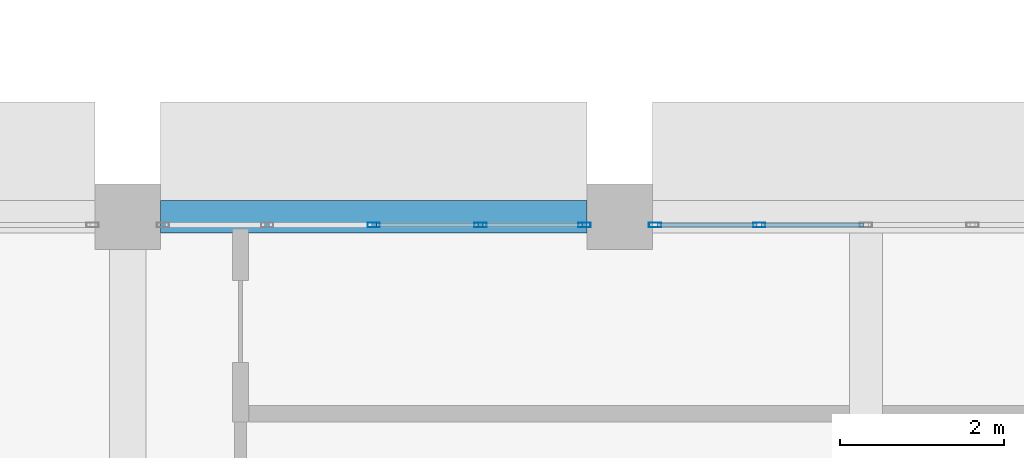
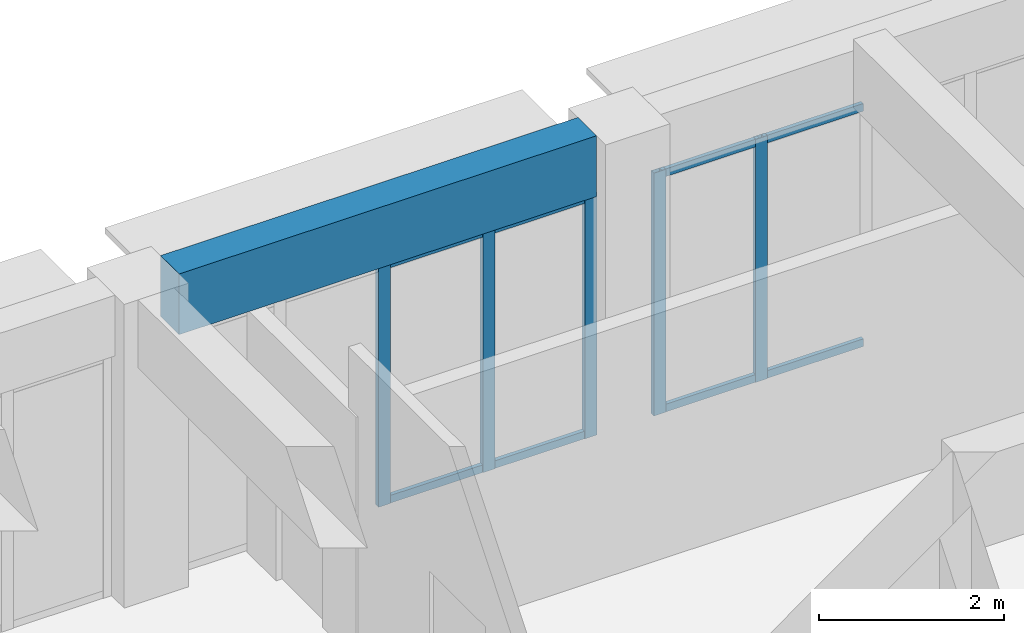
# One storey, part 31 of 101: 13 members, 1 beam, 2 elements without a shape of their own.
"""IFC4 building model written with IfcOpenShell, lengths in metres."""

from ifc_helpers import new_model, si_unit, direction, frame, origin, origin_2d, place, context, subcontext, project, spatial, rectangle, hollow_rectangle, extrude, material, material_profile, profile_set, type_object, element, aggregate, save


model = new_model("IFC4")

# Units and contexts
model_context = context("Model", 3, precision=1e-05, world=origin(), true_north=direction((0.0, 1.0)))
body_context = subcontext(model_context, "Body", "Model", "MODEL_VIEW")
ifc_project = project(units=[si_unit("LENGTHUNIT", "METRE"), si_unit("AREAUNIT", "SQUARE_METRE"), si_unit("VOLUMEUNIT", "CUBIC_METRE"), si_unit("PLANEANGLEUNIT", "RADIAN"), si_unit("MASSUNIT", "GRAM", prefix="KILO")], contexts=[model_context])

# Site, building, storey
site_placement = place(None, origin())
site = spatial("IfcSite", under=ifc_project, at=site_placement, CompositionType="ELEMENT")
building_placement = place(site_placement, origin())
building = spatial("IfcBuilding", under=site, at=building_placement, Name="Laocheng Heights Fire and Rescue Headquarters", CompositionType="ELEMENT")
storey_placement = place(building_placement, frame((0.0, 0.0, 8.39990234375)))
storey = spatial("IfcBuildingStorey", under=building, at=storey_placement, Name="L02", CompositionType="ELEMENT", Elevation=8.39990234375)

# Curtain wall, members
ifc_material_1 = material(Name="Aluminium unitised curtain wall, low-e double glazing", Category="aluminium")
curtain_wall_type = type_object("IfcCurtainWallType", Name="CW 5200 x 3200 GALLERY UNIT", PredefinedType="NOTDEFINED", material=ifc_material_1)
curtain_wall_1_placement = place(storey_placement, origin())
curtain_wall_1 = element("IfcCurtainWall", 1, at=curtain_wall_1_placement, inside=storey, type_object=curtain_wall_type, Name="Gallery north glazing L02", PredefinedType="NOTDEFINED")
ifc_material_2 = material(Name="Aluminium 6063-T5 extrusion", Category="aluminium")
ifc_material_profile_1 = material_profile(ifc_material_2, hollow_rectangle(XDim=0.06005859375, YDim=0.14990234375, WallThickness=0.0029296875, at=origin_2d()), Name="AL MULLION 150x60x3")
ifc_profile_set_1 = profile_set([ifc_material_profile_1], Name="Aluminium 6063-T5 extrusion")
member_type_1 = type_object("IfcMemberType", Name="AL CURTAIN WALL MULLION 150x60x3", PredefinedType="MULLION", material=ifc_profile_set_1)
member_1_placement = place(storey_placement, frame((57.0, 28.699951171875, 0.0), z_axis=(0.0, 0.0, 1.0), x_axis=(0.0, 1.0, 0.0)))
member_1 = element("IfcMember", 2, at=member_1_placement, type_object=member_type_1, Name="X4-E mullion 3", PredefinedType="MULLION", context=body_context, shape_type="SweptSolid", body=[
    extrude(hollow_rectangle(XDim=0.06005859375, YDim=0.14990234375, WallThickness=0.0029296875, at=origin_2d()), origin(), (0.0, 0.0, 1.0), 3.2001953125),
])
member_2_placement = place(storey_placement, frame((58.300048828125, 28.699951171875, 0.0), z_axis=(0.0, 0.0, 1.0), x_axis=(0.0, 1.0, 0.0)))
member_2 = element("IfcMember", 3, at=member_2_placement, type_object=member_type_1, Name="X4-E mullion 4", PredefinedType="MULLION", context=body_context, shape_type="SweptSolid", body=[
    extrude(hollow_rectangle(XDim=0.06005859375, YDim=0.14990234375, WallThickness=0.0029296875, at=origin_2d()), origin(), (0.0, 0.0, 1.0), 3.2001953125),
])
member_3_placement = place(storey_placement, frame((59.570068359375, 28.699951171875, 0.0), z_axis=(0.0, 0.0, 1.0), x_axis=(0.0, 1.0, 0.0)))
member_3 = element("IfcMember", 4, at=member_3_placement, type_object=member_type_1, Name="X4-E mullion 5", PredefinedType="MULLION", context=body_context, shape_type="SweptSolid", body=[
    extrude(hollow_rectangle(XDim=0.06005859375, YDim=0.14990234375, WallThickness=0.0029296875, at=origin_2d()), origin(), (0.0, 0.0, 1.0), 3.2001953125),
])

curtain_wall_2_placement = place(storey_placement, origin())
curtain_wall_2 = element("IfcCurtainWall", 5, at=curtain_wall_2_placement, inside=storey, type_object=curtain_wall_type, Name="Gallery north glazing L02", PredefinedType="NOTDEFINED")
member_4_placement = place(storey_placement, frame((60.429931640625, 28.699951171875, 0.0), z_axis=(0.0, 0.0, 1.0), x_axis=(0.0, 1.0, 0.0)))
member_4 = element("IfcMember", 6, at=member_4_placement, type_object=member_type_1, Name="X4-E mullion 1", PredefinedType="MULLION", context=body_context, shape_type="SweptSolid", body=[
    extrude(hollow_rectangle(XDim=0.06005859375, YDim=0.14990234375, WallThickness=0.0029296875, at=origin_2d()), origin(), (0.0, 0.0, 1.0), 3.2001953125),
])
member_5_placement = place(storey_placement, frame((61.699951171875, 28.699951171875, 0.0), z_axis=(0.0, 0.0, 1.0), x_axis=(0.0, 1.0, 0.0)))
member_5 = element("IfcMember", 7, at=member_5_placement, type_object=member_type_1, Name="X4-E mullion 2", PredefinedType="MULLION", context=body_context, shape_type="SweptSolid", body=[
    extrude(hollow_rectangle(XDim=0.06005859375, YDim=0.14990234375, WallThickness=0.0029296875, at=origin_2d()), origin(), (0.0, 0.0, 1.0), 3.2001953125),
])

# Member
ifc_material_3 = material(Name="Aluminium 6063-T5 extrusion", Category="aluminium")
ifc_material_profile_2 = material_profile(ifc_material_3, hollow_rectangle(XDim=0.050048828125, YDim=0.10009765625, WallThickness=0.0029296875, at=origin_2d()), Name="AL TRANSOM 100x50x3")
ifc_profile_set_2 = profile_set([ifc_material_profile_2], Name="Aluminium 6063-T5 extrusion")
member_type_2 = type_object("IfcMemberType", Name="AL CURTAIN WALL TRANSOM 100x50x3", PredefinedType="USERDEFINED", material=ifc_profile_set_2)
member_6_placement = place(storey_placement, frame((57.030029296875, 28.699951171875, 0.050048828125), z_axis=(1.0, 0.0, 0.0), x_axis=(0.0, 1.0, 0.0)))
member_6 = element("IfcMember", 8, at=member_6_placement, type_object=member_type_2, Name="X4-E transom 3.1", ObjectType="TRANSOM", PredefinedType="USERDEFINED", context=body_context, shape_type="SweptSolid", body=[
    extrude(hollow_rectangle(XDim=0.050048828125, YDim=0.10009765625, WallThickness=0.0029296875, at=origin_2d()), origin(), (0.0, 0.0, 1.0), 1.239990234375),
])

member_7_placement = place(storey_placement, frame((57.030029296875, 28.699951171875, 3.150146484375), z_axis=(1.0, 0.0, 0.0), x_axis=(0.0, 1.0, 0.0)))
member_7 = element("IfcMember", 9, at=member_7_placement, type_object=member_type_2, Name="X4-E transom 3.2", ObjectType="TRANSOM", PredefinedType="USERDEFINED", context=body_context, shape_type="SweptSolid", body=[
    extrude(hollow_rectangle(XDim=0.050048828125, YDim=0.10009765625, WallThickness=0.0029296875, at=origin_2d()), origin(), (0.0, 0.0, 1.0), 1.239990234375),
])

member_8_placement = place(storey_placement, frame((58.330078125, 28.699951171875, 0.050048828125), z_axis=(1.0, 0.0, 0.0), x_axis=(0.0, 1.0, 0.0)))
member_8 = element("IfcMember", 10, at=member_8_placement, type_object=member_type_2, Name="X4-E transom 4.1", ObjectType="TRANSOM", PredefinedType="USERDEFINED", context=body_context, shape_type="SweptSolid", body=[
    extrude(hollow_rectangle(XDim=0.050048828125, YDim=0.10009765625, WallThickness=0.0029296875, at=origin_2d()), origin(), (0.0, 0.0, 1.0), 1.2099609375),
])

member_9_placement = place(storey_placement, frame((58.330078125, 28.699951171875, 3.150146484375), z_axis=(1.0, 0.0, 0.0), x_axis=(0.0, 1.0, 0.0)))
member_9 = element("IfcMember", 11, at=member_9_placement, type_object=member_type_2, Name="X4-E transom 4.2", ObjectType="TRANSOM", PredefinedType="USERDEFINED", context=body_context, shape_type="SweptSolid", body=[
    extrude(hollow_rectangle(XDim=0.050048828125, YDim=0.10009765625, WallThickness=0.0029296875, at=origin_2d()), origin(), (0.0, 0.0, 1.0), 1.2099609375),
])

aggregate(curtain_wall_1, [member_1, member_2, member_3, member_6, member_7, member_8, member_9])

member_10_placement = place(storey_placement, frame((60.4599609375, 28.699951171875, 0.050048828125), z_axis=(1.0, 0.0, 0.0), x_axis=(0.0, 1.0, 0.0)))
member_10 = element("IfcMember", 12, at=member_10_placement, type_object=member_type_2, Name="X4-E transom 1.1", ObjectType="TRANSOM", PredefinedType="USERDEFINED", context=body_context, shape_type="SweptSolid", body=[
    extrude(hollow_rectangle(XDim=0.050048828125, YDim=0.10009765625, WallThickness=0.0029296875, at=origin_2d()), origin(), (0.0, 0.0, 1.0), 1.2099609375),
])

member_11_placement = place(storey_placement, frame((60.4599609375, 28.699951171875, 3.150146484375), z_axis=(1.0, 0.0, 0.0), x_axis=(0.0, 1.0, 0.0)))
member_11 = element("IfcMember", 13, at=member_11_placement, type_object=member_type_2, Name="X4-E transom 1.2", ObjectType="TRANSOM", PredefinedType="USERDEFINED", context=body_context, shape_type="SweptSolid", body=[
    extrude(hollow_rectangle(XDim=0.050048828125, YDim=0.10009765625, WallThickness=0.0029296875, at=origin_2d()), origin(), (0.0, 0.0, 1.0), 1.2099609375),
])

member_12_placement = place(storey_placement, frame((61.72998046875, 28.699951171875, 0.050048828125), z_axis=(1.0, 0.0, 0.0), x_axis=(0.0, 1.0, 0.0)))
member_12 = element("IfcMember", 14, at=member_12_placement, type_object=member_type_2, Name="X4-E transom 2.1", ObjectType="TRANSOM", PredefinedType="USERDEFINED", context=body_context, shape_type="SweptSolid", body=[
    extrude(hollow_rectangle(XDim=0.050048828125, YDim=0.10009765625, WallThickness=0.0029296875, at=origin_2d()), origin(), (0.0, 0.0, 1.0), 1.239990234375),
])

member_13_placement = place(storey_placement, frame((61.72998046875, 28.699951171875, 3.150146484375), z_axis=(1.0, 0.0, 0.0), x_axis=(0.0, 1.0, 0.0)))
member_13 = element("IfcMember", 15, at=member_13_placement, type_object=member_type_2, Name="X4-E transom 2.2", ObjectType="TRANSOM", PredefinedType="USERDEFINED", context=body_context, shape_type="SweptSolid", body=[
    extrude(hollow_rectangle(XDim=0.050048828125, YDim=0.10009765625, WallThickness=0.0029296875, at=origin_2d()), origin(), (0.0, 0.0, 1.0), 1.239990234375),
])

aggregate(curtain_wall_2, [member_4, member_5, member_10, member_11, member_12, member_13])

# Beam
ifc_material_4 = material(Name="Concrete C40", Category="concrete")
ifc_material_profile_3 = material_profile(ifc_material_4, rectangle(XDim=0.39990234375, YDim=0.800048828125, at=origin_2d()), Name="RC BEAM 400x800 GALLERY FLOOR")
ifc_profile_set_3 = profile_set([ifc_material_profile_3], Name="Concrete C40")
beam_type = type_object("IfcBeamType", Name="RC BEAM 400x800 GALLERY FLOOR", PredefinedType="BEAM", material=ifc_profile_set_3)
beam_placement = place(storey_placement, frame((54.39990234375, 28.800048828125, 3.60009765625), z_axis=(1.0, 0.0, 0.0), x_axis=(0.0, 1.0, 0.0)))
element("IfcBeam", 16, at=beam_placement, inside=storey, type_object=beam_type, Name="Gallery floor beam", PredefinedType="BEAM", context=body_context, shape_type="SweptSolid", body=[
    extrude(rectangle(XDim=0.39990234375, YDim=0.800048828125, at=origin_2d()), origin(), (0.0, 0.0, 1.0), 5.2001953125),
])

save(model, "model.ifc")
